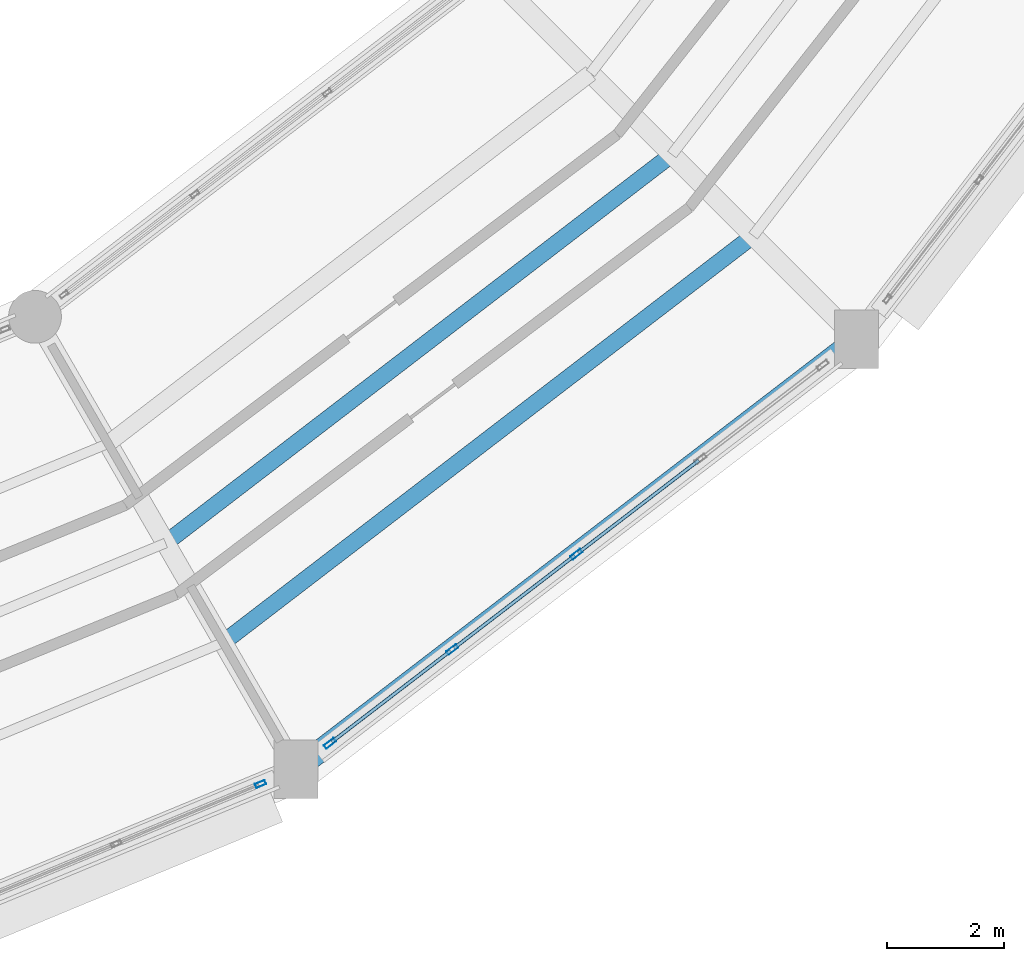
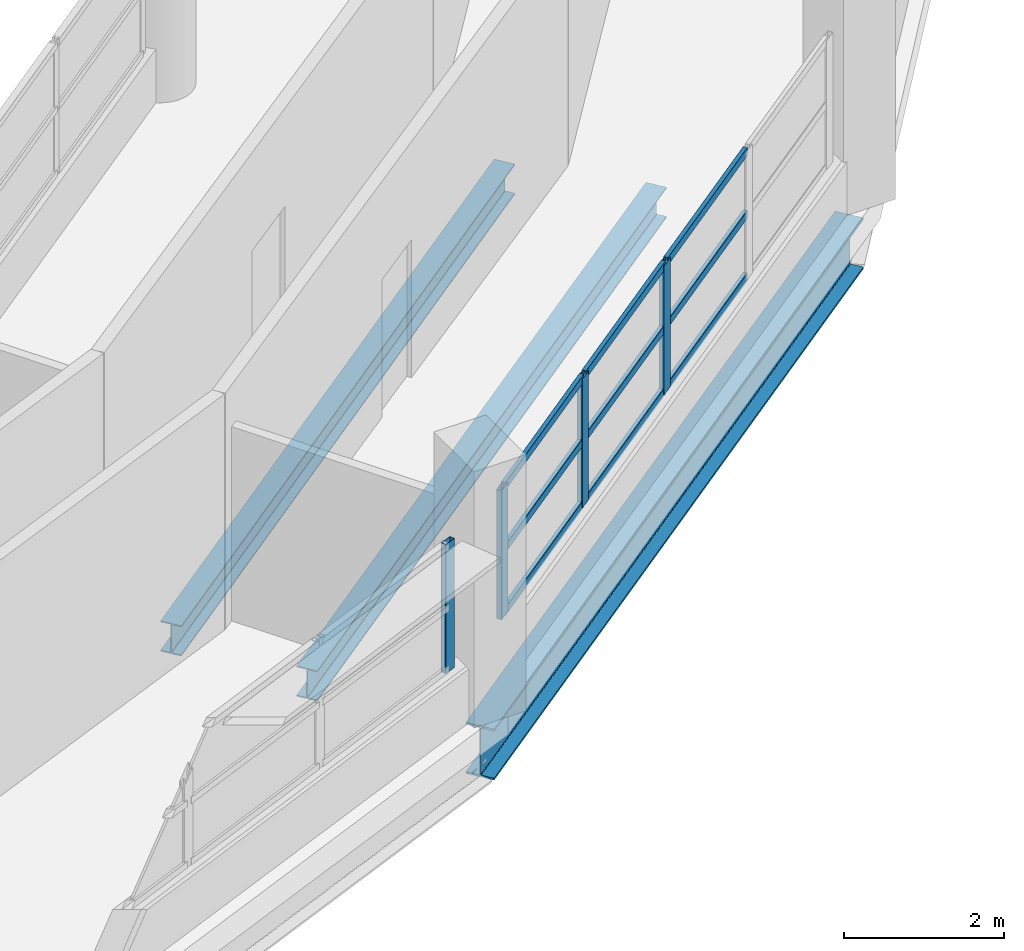
# One storey, part 45 of 108: 13 members, 3 beams, 2 elements without a shape of their own.
"""IFC4 building model written with IfcOpenShell, lengths in metres."""

import ifcopenshell
import ifcopenshell.guid

model = None  # the IFC model being written
_history = None  # IfcOwnerHistory: only IFC2X3 demands one
_inside = {}  # id of a spatial element -> (the spatial element, [elements in it])
_under = {}  # id of a project, library or spatial element -> (it, [spatial elements below it])
_declared = {}  # id of a project -> (the project, [libraries it declares])
_typed = {}  # id of a type object -> (the type object, [elements of that type])
_made_of = {}  # id of a material, layer set ... -> (it, [elements and type objects made of it])


def new_model(schema):
    """Start an empty IFC model of exactly this schema.

    Asked for "IFC4X3", IfcOpenShell would pick the latest addendum, in which some entities
    have other attributes; the version numbers below select the first issue.
    IFC2X3 requires an IfcOwnerHistory on every rooted entity: one is made here for all.
    """
    global model, _history
    if schema == "IFC4X3":
        model = ifcopenshell.file(schema_version=(4, 3, 0, 0))
    else:
        model = ifcopenshell.file(schema=schema)
    _inside.clear()
    _under.clear()
    _declared.clear()
    _typed.clear()
    _made_of.clear()
    _history = None
    if model.schema == "IFC2X3":
        org = make("IfcOrganization", Name="unknown")
        user = make(
            "IfcPersonAndOrganization",
            ThePerson=make("IfcPerson", FamilyName="unknown"),
            TheOrganization=org,
        )
        app = make(
            "IfcApplication",
            ApplicationDeveloper=org,
            Version="unknown",
            ApplicationFullName="unknown",
            ApplicationIdentifier="unknown",
        )
        _history = make(
            "IfcOwnerHistory",
            OwningUser=user,
            OwningApplication=app,
            ChangeAction="ADDED",
            CreationDate=0,
        )
    return model


def make(cls, **values):
    """One entity of the class cls with the attributes given. An attribute that is None is left unset."""
    return model.create_entity(
        cls, **{name: value for name, value in values.items() if value is not None}
    )


def rooted(cls, **values):
    """An entity with a GlobalId (a new one), such as an element, a storey or a relation."""
    return make(cls, GlobalId=ifcopenshell.guid.new(), OwnerHistory=_history, **values)


def si_unit(unit_type, name, prefix=None):
    """IfcSIUnit, for example si_unit("LENGTHUNIT", "METRE", prefix="MILLI")."""
    return make("IfcSIUnit", UnitType=unit_type, Prefix=prefix, Name=name)


def assignment(units):
    """IfcUnitAssignment: the units of a project."""
    return None if units is None else make("IfcUnitAssignment", Units=units)


def point(xyz):
    """IfcCartesianPoint."""
    return None if xyz is None else make("IfcCartesianPoint", Coordinates=xyz)


def direction(xyz):
    """IfcDirection."""
    return None if xyz is None else make("IfcDirection", DirectionRatios=xyz)


def frame(location, z_axis=None, x_axis=None):
    """IfcAxis2Placement3D, a coordinate frame: its origin and axes. An axis left out is left unset."""
    return make(
        "IfcAxis2Placement3D",
        Location=point(location),
        Axis=direction(z_axis),
        RefDirection=direction(x_axis),
    )


def frame_2d(location, x_axis=None):
    """IfcAxis2Placement2D, a coordinate frame in the plane: its origin and x axis."""
    return make(
        "IfcAxis2Placement2D", Location=point(location), RefDirection=direction(x_axis)
    )


def origin():
    """The frame at (0, 0, 0) with its axes left unset."""
    return frame((0.0, 0.0, 0.0))


def origin_2d():
    """The frame at (0, 0) in the plane with its x axis left unset."""
    return frame_2d((0.0, 0.0))


def place(relative_to, where):
    """IfcLocalPlacement: puts the frame where relative to a parent placement (None: the world)."""
    return make(
        "IfcLocalPlacement", PlacementRelTo=relative_to, RelativePlacement=where
    )


def context(
    kind, dimensions, precision=None, world=None, true_north=None, identifier=None
):
    """IfcGeometricRepresentationContext, for example the 3D "Model" context."""
    return make(
        "IfcGeometricRepresentationContext",
        ContextIdentifier=identifier,
        ContextType=kind,
        CoordinateSpaceDimension=dimensions,
        Precision=precision,
        WorldCoordinateSystem=world,
        TrueNorth=true_north,
    )


def subcontext(parent, identifier, kind, view, scale=None):
    """IfcGeometricRepresentationSubContext, for example "Body" below "Model"."""
    return make(
        "IfcGeometricRepresentationSubContext",
        ContextIdentifier=identifier,
        ContextType=kind,
        ParentContext=parent,
        TargetScale=scale,
        TargetView=view,
    )


def project(units=None, contexts=None):
    """IfcProject with its units and contexts."""
    return rooted(
        "IfcProject",
        Name="project",
        RepresentationContexts=contexts,
        UnitsInContext=assignment(units),
    )


def spatial(cls, under=None, at=None, **own):
    """A site, building, storey or space (cls), placed at a placement, below another one or the project."""
    s = rooted(cls, ObjectPlacement=at, **own)
    if under is not None:
        _under.setdefault(under.id(), (under, []))[1].append(s)
    return s


def profile(cls, at=None, kind="AREA", **sizes):
    """A parametric profile (cls). Its sizes go by their IFC names, for example OverallWidth=200.0."""
    return make(cls, ProfileType=kind, Position=at, **sizes)


def hollow_rectangle(**sizes):
    """IfcRectangleHollowProfileDef."""
    return profile("IfcRectangleHollowProfileDef", **sizes)


def i_section(**sizes):
    """IfcIShapeProfileDef."""
    return profile("IfcIShapeProfileDef", **sizes)


def extrude(swept, where, along, depth):
    """IfcExtrudedAreaSolid: the profile swept, set in the frame where, extruded along a direction by depth."""
    return make(
        "IfcExtrudedAreaSolid",
        SweptArea=swept,
        Position=where,
        ExtrudedDirection=direction(along),
        Depth=depth,
    )


def shape(context_of_items, identifier, shape_type, items):
    """IfcShapeRepresentation: the items that make up one representation, for example the "Body"."""
    return make(
        "IfcShapeRepresentation",
        ContextOfItems=context_of_items,
        RepresentationIdentifier=identifier,
        RepresentationType=shape_type,
        Items=items,
    )


def material(Name=None, Category=None):
    """IfcMaterial."""
    return make("IfcMaterial", Name=Name, Category=Category)


def layer(
    of_material, thickness, ventilated=None, Name=None, Category=None, Priority=None
):
    """IfcMaterialLayer: one layer of a wall or slab, of a material (None: an air gap)."""
    return make(
        "IfcMaterialLayer",
        Material=of_material,
        LayerThickness=thickness,
        IsVentilated=ventilated,
        Name=Name,
        Category=Category,
        Priority=Priority,
    )


def layer_set(layers, Name=None):
    """IfcMaterialLayerSet."""
    return make("IfcMaterialLayerSet", MaterialLayers=layers, LayerSetName=Name)


def material_profile(
    of_material, cross_section, Name=None, Category=None, Priority=None
):
    """IfcMaterialProfile: a cross section and its material."""
    return make(
        "IfcMaterialProfile",
        Name=Name,
        Material=of_material,
        Profile=cross_section,
        Priority=Priority,
        Category=Category,
    )


def profile_set(profiles, Name=None, composite=None):
    """IfcMaterialProfileSet."""
    return make(
        "IfcMaterialProfileSet",
        Name=Name,
        MaterialProfiles=profiles,
        CompositeProfile=composite,
    )


def made_of(thing, what):
    """Note that an element or type object is made of a material, layer set ...; save() writes the relation."""
    if what is not None:
        _made_of.setdefault(what.id(), (what, []))[1].append(thing)
    return thing


def type_object(cls, material=None, **own):
    """A type object (cls), such as IfcWallType, which elements share."""
    return made_of(rooted(cls, **own), material)


def element(
    cls,
    number,
    at=None,
    inside=None,
    cuts=None,
    type_object=None,
    material=None,
    context=None,
    identifier="Body",
    shape_type=None,
    held_by="IfcProductDefinitionShape",
    body=None,
    shapes=None,
    **own,
):
    """One element of the class cls, such as IfcWall. Its Tag is "e" and its number.

    at: its placement. inside: the storey or other place that contains it. cuts: it is an
    opening in that element (IfcRelVoidsElement). A single representation is given by context,
    identifier, shape_type and body (its items); several are given by shapes. held_by: the class
    of the entity that holds the representations. save() writes the other relations.
    """
    e = rooted(cls, Tag="e%d" % number, ObjectPlacement=at, **own)
    if body is not None:
        shapes = [shape(context, identifier, shape_type, body)]
    if shapes is not None:
        e.Representation = make(held_by, Representations=shapes)
    if inside is not None:
        _inside.setdefault(inside.id(), (inside, []))[1].append(e)
    if cuts is not None:
        rooted(
            "IfcRelVoidsElement", RelatingBuildingElement=cuts, RelatedOpeningElement=e
        )
    if type_object is not None:
        _typed.setdefault(type_object.id(), (type_object, []))[1].append(e)
    return made_of(e, material)


def aggregate(whole, parts):
    """IfcRelAggregates: a whole, such as a stair, and the parts it consists of."""
    return rooted("IfcRelAggregates", RelatingObject=whole, RelatedObjects=parts)


def save(model, path):
    """Write the relations noted so far, then the file.

    IfcRelAggregates (storeys below a building ...), IfcRelContainedInSpatialStructure (elements
    in a storey), IfcRelDefinesByType, IfcRelAssociatesMaterial and IfcRelDeclares: one each for
    every whole, place, type object, material and project.
    """
    for whole, parts in _under.values():
        aggregate(whole, parts)
    for where, things in _inside.values():
        rooted(
            "IfcRelContainedInSpatialStructure",
            RelatedElements=things,
            RelatingStructure=where,
        )
    for kind, things in _typed.values():
        rooted("IfcRelDefinesByType", RelatedObjects=things, RelatingType=kind)
    for what, things in _made_of.values():
        rooted("IfcRelAssociatesMaterial", RelatedObjects=things, RelatingMaterial=what)
    for by, libraries in _declared.values():
        rooted("IfcRelDeclares", RelatingContext=by, RelatedDefinitions=libraries)
    model.write(path)


model = new_model("IFC4")

# Units and contexts
model_context = context("Model", 3, precision=1e-05, world=origin(), true_north=direction((0.0, 1.0)))
body_context = subcontext(model_context, "Body", "Model", "MODEL_VIEW")
ifc_project = project(units=[si_unit("LENGTHUNIT", "METRE"), si_unit("AREAUNIT", "SQUARE_METRE"), si_unit("VOLUMEUNIT", "CUBIC_METRE"), si_unit("PLANEANGLEUNIT", "RADIAN"), si_unit("MASSUNIT", "GRAM", prefix="KILO")], contexts=[model_context])

# Site, building, storey
site_placement = place(None, origin())
site = spatial("IfcSite", under=ifc_project, at=site_placement, CompositionType="ELEMENT")
building_placement = place(site_placement, origin())
building = spatial("IfcBuilding", under=site, at=building_placement, Name="Vespera Passage Community Centre", CompositionType="ELEMENT")
storey_placement = place(building_placement, frame((0.0, 0.0, 12.60009765625)))
storey = spatial("IfcBuildingStorey", under=building, at=storey_placement, Name="L03", CompositionType="ELEMENT", Elevation=12.60009765625)

# Beams
ifc_material_1 = material(Name="Steel ASTM A992 Grade 50", Category="steel")
ifc_material_profile_1 = material_profile(ifc_material_1, i_section(OverallWidth=0.280517578125, OverallDepth=0.46240234375, WebThickness=0.0107421875, FlangeThickness=0.017333984375, FilletRadius=0.01025390625, at=origin_2d()), Name="W18X76")
ifc_profile_set_1 = profile_set([ifc_material_profile_1], Name="Steel ASTM A992 Grade 50")
beam_type_1 = type_object("IfcBeamType", Name="BM-J-W18X76", PredefinedType="JOIST", material=ifc_profile_set_1)
beam_1_placement = place(storey_placement, frame((98.824951171875, 29.43017578125, -0.63134765625), z_axis=(0.793355478182, 0.608758642845, 0.0), x_axis=(-0.608758642845, 0.793355478182, 0.0)))
element("IfcBeam", 1, at=beam_1_placement, inside=storey, type_object=beam_type_1, Name="V4 L03 Floor Joist 20.2", PredefinedType="JOIST", context=body_context, shape_type="SweptSolid", body=[
    extrude(i_section(OverallWidth=0.280517578125, OverallDepth=0.46240234375, WebThickness=0.0107421875, FlangeThickness=0.017333984375, FilletRadius=0.01025390625, at=origin_2d()), origin(), (0.0, 0.0, 1.0), 10.872802734375),
])
beam_2_placement = place(storey_placement, frame((99.803955078125, 27.734375, -0.63134765625), z_axis=(0.793350515415, 0.608765110442, 0.0), x_axis=(-0.608765110442, 0.793350515415, 0.0)))
element("IfcBeam", 2, at=beam_2_placement, inside=storey, type_object=beam_type_1, Name="V4 L03 Floor Joist 20.3", PredefinedType="JOIST", context=body_context, shape_type="SweptSolid", body=[
    extrude(i_section(OverallWidth=0.280517578125, OverallDepth=0.46240234375, WebThickness=0.0107421875, FlangeThickness=0.017333984375, FilletRadius=0.01025390625, at=origin_2d()), origin(), (0.0, 0.0, 1.0), 11.384033203125),
])
ifc_material_2 = material(Name="Steel ASTM A992 Grade 50", Category="steel")
ifc_material_profile_2 = material_profile(ifc_material_2, i_section(OverallWidth=0.382080078125, OverallDepth=0.779296875, WebThickness=0.01806640625, FlangeThickness=0.030029296875, FilletRadius=0.0166015625, at=origin_2d()), Name="W30X191")
ifc_profile_set_2 = profile_set([ifc_material_profile_2], Name="Steel ASTM A992 Grade 50")
beam_type_2 = type_object("IfcBeamType", Name="BM-SP-W30X191E", PredefinedType="SPANDREL", material=ifc_profile_set_2)
beam_3_placement = place(storey_placement, frame((101.050048828125, 25.576171875, -0.789794921875), z_axis=(0.793351934501, 0.608763261066, 0.0), x_axis=(-0.608763261066, 0.793351934501, 0.0)))
element("IfcBeam", 3, at=beam_3_placement, inside=storey, type_object=beam_type_2, Name="V4 L03 Outer Spandrel 20", PredefinedType="SPANDREL", context=body_context, shape_type="SweptSolid", body=[
    extrude(i_section(OverallWidth=0.382080078125, OverallDepth=0.779296875, WebThickness=0.01806640625, FlangeThickness=0.030029296875, FilletRadius=0.0166015625, at=origin_2d()), origin(), (0.0, 0.0, 1.0), 12.034423828125),
])

# Curtain wall, member
ifc_material_3 = material(Name="Anodized aluminium 6063-T6", Category="aluminium")
ifc_layer_1 = layer(ifc_material_3, 0.159912109375)
ifc_layer_set_1 = layer_set([ifc_layer_1], Name="Anodized aluminium 6063-T6")
curtain_wall_type_1 = type_object("IfcCurtainWallType", Name="CW-39E", PredefinedType="NOTDEFINED", material=ifc_layer_set_1)
curtain_wall_1_placement = place(storey_placement, origin())
curtain_wall_1 = element("IfcCurtainWall", 4, at=curtain_wall_1_placement, inside=storey, type_object=curtain_wall_type_1, Name="V4 L03 Outer Ribbon Curtain Wall 19", PredefinedType="NOTDEFINED")
ifc_material_4 = material(Name="Anodized aluminium 6063-T6", Category="aluminium")
ifc_material_profile_3 = material_profile(ifc_material_4, hollow_rectangle(XDim=0.074951171875, YDim=0.179931640625, WallThickness=0.0048828125, InnerFilletRadius=0.00244140625, OuterFilletRadius=0.0048828125, at=origin_2d()), Name="ALU180X75X5")
ifc_profile_set_3 = profile_set([ifc_material_profile_3], Name="Anodized aluminium 6063-T6")
member_type_1 = type_object("IfcMemberType", Name="MB-CWM-180E", PredefinedType="MULLION", material=ifc_profile_set_3)
member_1_placement = place(storey_placement, frame((100.441650390625, 25.32421875, 0.81982421875), z_axis=(0.0, 0.0, 1.0), x_axis=(0.382682936255, -0.923879738007, 0.0)))
member_1 = element("IfcMember", 5, at=member_1_placement, type_object=member_type_1, Name="CW-39E mullion 1", PredefinedType="MULLION", context=body_context, shape_type="SweptSolid", body=[
    extrude(hollow_rectangle(XDim=0.074951171875, YDim=0.179931640625, WallThickness=0.0048828125, InnerFilletRadius=0.00244140625, OuterFilletRadius=0.0048828125, at=origin_2d()), origin(), (0.0, 0.0, 1.0), 1.965576171875),
])
aggregate(curtain_wall_1, [member_1])

# Curtain wall, members
ifc_material_5 = material(Name="Anodized aluminium 6063-T6", Category="aluminium")
ifc_layer_2 = layer(ifc_material_5, 0.159912109375)
ifc_layer_set_2 = layer_set([ifc_layer_2], Name="Anodized aluminium 6063-T6")
curtain_wall_type_2 = type_object("IfcCurtainWallType", Name="CW-51E", PredefinedType="NOTDEFINED", material=ifc_layer_set_2)
curtain_wall_2_placement = place(storey_placement, origin())
curtain_wall_2 = element("IfcCurtainWall", 6, at=curtain_wall_2_placement, inside=storey, type_object=curtain_wall_type_2, Name="V4 L03 Outer Ribbon Curtain Wall 20", PredefinedType="NOTDEFINED")
ifc_material_6 = material(Name="Anodized aluminium 6063-T6", Category="aluminium")
ifc_material_profile_4 = material_profile(ifc_material_6, hollow_rectangle(XDim=0.074951171875, YDim=0.2099609375, WallThickness=0.0048828125, InnerFilletRadius=0.00244140625, OuterFilletRadius=0.0048828125, at=origin_2d()), Name="ALU210X75X5")
ifc_profile_set_4 = profile_set([ifc_material_profile_4], Name="Anodized aluminium 6063-T6")
member_type_2 = type_object("IfcMemberType", Name="MB-CWM-210E", PredefinedType="MULLION", material=ifc_profile_set_4)
member_2_placement = place(storey_placement, frame((105.82373046875, 29.2392578125, 0.81982421875), z_axis=(0.0, 0.0, 1.0), x_axis=(0.608771824991, -0.793345363065, 0.0)))
member_2 = element("IfcMember", 7, at=member_2_placement, type_object=member_type_2, Name="CW-51E mullion 3", PredefinedType="MULLION", context=body_context, shape_type="SweptSolid", body=[
    extrude(hollow_rectangle(XDim=0.074951171875, YDim=0.2099609375, WallThickness=0.0048828125, InnerFilletRadius=0.00244140625, OuterFilletRadius=0.0048828125, at=origin_2d()), origin(), (0.0, 0.0, 1.0), 1.965576171875),
])
member_3_placement = place(storey_placement, frame((103.709716796875, 27.616943359375, 0.81982421875), z_axis=(0.0, 0.0, 1.0), x_axis=(0.608771824991, -0.793345363065, 0.0)))
member_3 = element("IfcMember", 8, at=member_3_placement, type_object=member_type_2, Name="CW-51E mullion 4", PredefinedType="MULLION", context=body_context, shape_type="SweptSolid", body=[
    extrude(hollow_rectangle(XDim=0.074951171875, YDim=0.2099609375, WallThickness=0.0048828125, InnerFilletRadius=0.00244140625, OuterFilletRadius=0.0048828125, at=origin_2d()), origin(), (0.0, 0.0, 1.0), 1.965576171875),
])
member_4_placement = place(storey_placement, frame((101.625244140625, 26.017578125, 0.81982421875), z_axis=(0.0, 0.0, 1.0), x_axis=(0.608771824991, -0.793345363065, 0.0)))
member_4 = element("IfcMember", 9, at=member_4_placement, type_object=member_type_2, Name="CW-51E mullion 5", PredefinedType="MULLION", context=body_context, shape_type="SweptSolid", body=[
    extrude(hollow_rectangle(XDim=0.074951171875, YDim=0.2099609375, WallThickness=0.0048828125, InnerFilletRadius=0.00244140625, OuterFilletRadius=0.0048828125, at=origin_2d()), origin(), (0.0, 0.0, 1.0), 1.965576171875),
])
ifc_material_7 = material(Name="Anodized aluminium 6063-T6", Category="aluminium")
ifc_material_profile_5 = material_profile(ifc_material_7, hollow_rectangle(XDim=0.06005859375, YDim=0.1201171875, WallThickness=0.00390625, InnerFilletRadius=0.001953125, OuterFilletRadius=0.00390625, at=origin_2d()), Name="ALU120X60X4")
ifc_profile_set_5 = profile_set([ifc_material_profile_5], Name="Anodized aluminium 6063-T6")
member_type_3 = type_object("IfcMemberType", Name="MB-CWT-120E", PredefinedType="USERDEFINED", material=ifc_profile_set_5)
member_5_placement = place(storey_placement, frame((107.908203125, 30.838623046875, 0.849853515625), z_axis=(-0.793390852148, -0.608712539487, 0.0), x_axis=(0.608712539487, -0.793390852148, 0.0)))
member_5 = element("IfcMember", 10, at=member_5_placement, type_object=member_type_3, Name="CW-51E transom 2.1", ObjectType="TRANSOM", PredefinedType="USERDEFINED", context=body_context, shape_type="SweptSolid", body=[
    extrude(hollow_rectangle(XDim=0.06005859375, YDim=0.1201171875, WallThickness=0.00390625, InnerFilletRadius=0.001953125, OuterFilletRadius=0.00390625, at=origin_2d()), origin(), (0.0, 0.0, 1.0), 2.58984375),
])
member_6_placement = place(storey_placement, frame((107.908203125, 30.838623046875, 1.802734375), z_axis=(-0.793390852148, -0.608712539487, 0.0), x_axis=(0.608712539487, -0.793390852148, 0.0)))
member_6 = element("IfcMember", 11, at=member_6_placement, type_object=member_type_3, Name="CW-51E transom 2.2", ObjectType="TRANSOM", PredefinedType="USERDEFINED", context=body_context, shape_type="SweptSolid", body=[
    extrude(hollow_rectangle(XDim=0.06005859375, YDim=0.1201171875, WallThickness=0.00390625, InnerFilletRadius=0.001953125, OuterFilletRadius=0.00390625, at=origin_2d()), origin(), (0.0, 0.0, 1.0), 2.58984375),
])
member_7_placement = place(storey_placement, frame((107.908203125, 30.838623046875, 2.755615234375), z_axis=(-0.793390852148, -0.608712539487, 0.0), x_axis=(0.608712539487, -0.793390852148, 0.0)))
member_7 = element("IfcMember", 12, at=member_7_placement, type_object=member_type_3, Name="CW-51E transom 2.3", ObjectType="TRANSOM", PredefinedType="USERDEFINED", context=body_context, shape_type="SweptSolid", body=[
    extrude(hollow_rectangle(XDim=0.06005859375, YDim=0.1201171875, WallThickness=0.00390625, InnerFilletRadius=0.001953125, OuterFilletRadius=0.00390625, at=origin_2d()), origin(), (0.0, 0.0, 1.0), 2.58984375),
])
member_8_placement = place(storey_placement, frame((105.7939453125, 29.216552734375, 0.849853515625), z_axis=(-0.79331038498, -0.608817405371, 0.0), x_axis=(0.608817405371, -0.79331038498, 0.0)))
member_8 = element("IfcMember", 13, at=member_8_placement, type_object=member_type_3, Name="CW-51E transom 3.1", ObjectType="TRANSOM", PredefinedType="USERDEFINED", context=body_context, shape_type="SweptSolid", body=[
    extrude(hollow_rectangle(XDim=0.06005859375, YDim=0.1201171875, WallThickness=0.00390625, InnerFilletRadius=0.001953125, OuterFilletRadius=0.00390625, at=origin_2d()), origin(), (0.0, 0.0, 1.0), 2.589599609375),
])
member_9_placement = place(storey_placement, frame((105.7939453125, 29.216552734375, 1.802734375), z_axis=(-0.79331038498, -0.608817405371, 0.0), x_axis=(0.608817405371, -0.79331038498, 0.0)))
member_9 = element("IfcMember", 14, at=member_9_placement, type_object=member_type_3, Name="CW-51E transom 3.2", ObjectType="TRANSOM", PredefinedType="USERDEFINED", context=body_context, shape_type="SweptSolid", body=[
    extrude(hollow_rectangle(XDim=0.06005859375, YDim=0.1201171875, WallThickness=0.00390625, InnerFilletRadius=0.001953125, OuterFilletRadius=0.00390625, at=origin_2d()), origin(), (0.0, 0.0, 1.0), 2.589599609375),
])
member_10_placement = place(storey_placement, frame((105.7939453125, 29.216552734375, 2.755615234375), z_axis=(-0.79331038498, -0.608817405371, 0.0), x_axis=(0.608817405371, -0.79331038498, 0.0)))
member_10 = element("IfcMember", 15, at=member_10_placement, type_object=member_type_3, Name="CW-51E transom 3.3", ObjectType="TRANSOM", PredefinedType="USERDEFINED", context=body_context, shape_type="SweptSolid", body=[
    extrude(hollow_rectangle(XDim=0.06005859375, YDim=0.1201171875, WallThickness=0.00390625, InnerFilletRadius=0.001953125, OuterFilletRadius=0.00390625, at=origin_2d()), origin(), (0.0, 0.0, 1.0), 2.589599609375),
])
member_11_placement = place(storey_placement, frame((103.679931640625, 27.59423828125, 0.849853515625), z_axis=(-0.793363043507, -0.608748783323, 0.0), x_axis=(0.608748783323, -0.793363043507, 0.0)))
member_11 = element("IfcMember", 16, at=member_11_placement, type_object=member_type_3, Name="CW-51E transom 4.1", ObjectType="TRANSOM", PredefinedType="USERDEFINED", context=body_context, shape_type="SweptSolid", body=[
    extrude(hollow_rectangle(XDim=0.06005859375, YDim=0.1201171875, WallThickness=0.00390625, InnerFilletRadius=0.001953125, OuterFilletRadius=0.00390625, at=origin_2d()), origin(), (0.0, 0.0, 1.0), 2.55224609375),
])
member_12_placement = place(storey_placement, frame((103.679931640625, 27.59423828125, 1.802734375), z_axis=(-0.793363043507, -0.608748783323, 0.0), x_axis=(0.608748783323, -0.793363043507, 0.0)))
member_12 = element("IfcMember", 17, at=member_12_placement, type_object=member_type_3, Name="CW-51E transom 4.2", ObjectType="TRANSOM", PredefinedType="USERDEFINED", context=body_context, shape_type="SweptSolid", body=[
    extrude(hollow_rectangle(XDim=0.06005859375, YDim=0.1201171875, WallThickness=0.00390625, InnerFilletRadius=0.001953125, OuterFilletRadius=0.00390625, at=origin_2d()), origin(), (0.0, 0.0, 1.0), 2.55224609375),
])
member_13_placement = place(storey_placement, frame((103.679931640625, 27.59423828125, 2.755615234375), z_axis=(-0.793363043507, -0.608748783323, 0.0), x_axis=(0.608748783323, -0.793363043507, 0.0)))
member_13 = element("IfcMember", 18, at=member_13_placement, type_object=member_type_3, Name="CW-51E transom 4.3", ObjectType="TRANSOM", PredefinedType="USERDEFINED", context=body_context, shape_type="SweptSolid", body=[
    extrude(hollow_rectangle(XDim=0.06005859375, YDim=0.1201171875, WallThickness=0.00390625, InnerFilletRadius=0.001953125, OuterFilletRadius=0.00390625, at=origin_2d()), origin(), (0.0, 0.0, 1.0), 2.55224609375),
])
aggregate(curtain_wall_2, [member_2, member_3, member_4, member_5, member_6, member_7, member_8, member_9, member_10, member_11, member_12, member_13])

save(model, "model.ifc")
